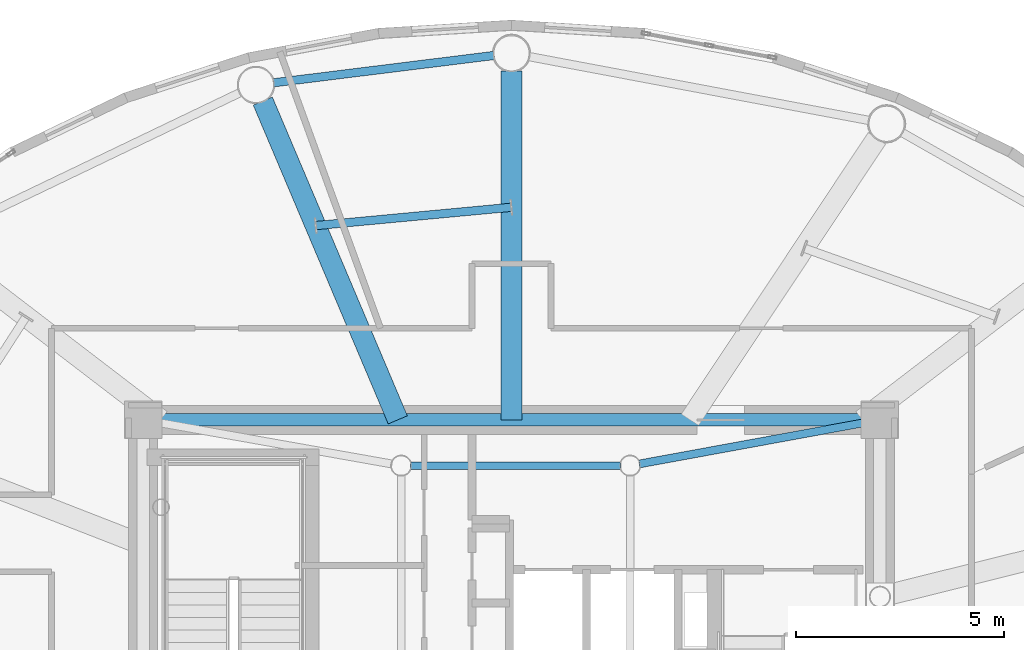
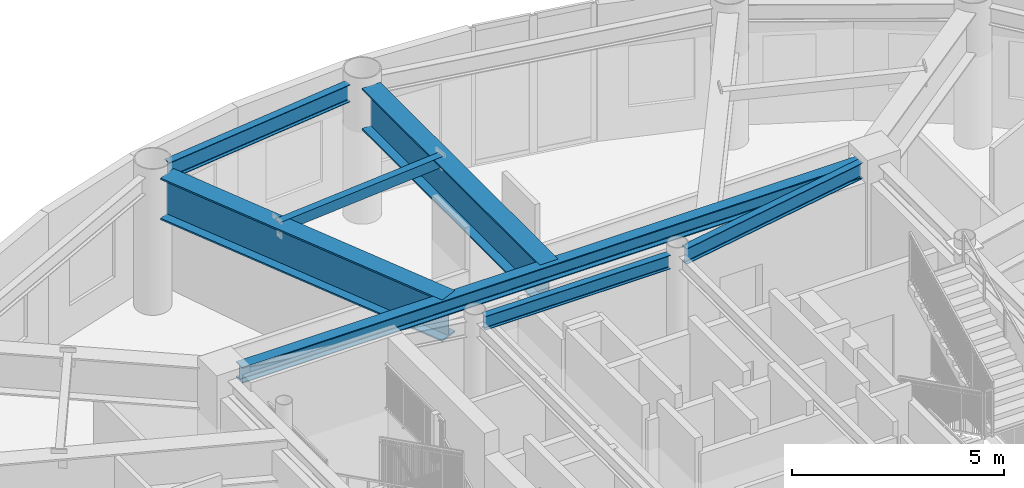
# One storey, part 9 of 26: 7 beams.
"""IFC4 building model written with IfcOpenShell, lengths in metres."""

from ifc_helpers import new_model, si_unit, direction, frame, origin, origin_2d, place, context, subcontext, project, spatial, hollow_rectangle, i_section, extrude, material, material_profile, profile_set, type_object, element, save


model = new_model("IFC4")

# Units and contexts
model_context = context("Model", 3, precision=1e-05, world=origin(), true_north=direction((0.0, 1.0)))
body_context = subcontext(model_context, "Body", "Model", "MODEL_VIEW")
ifc_project = project(units=[si_unit("LENGTHUNIT", "METRE"), si_unit("AREAUNIT", "SQUARE_METRE"), si_unit("VOLUMEUNIT", "CUBIC_METRE"), si_unit("PLANEANGLEUNIT", "RADIAN"), si_unit("MASSUNIT", "GRAM", prefix="KILO")], contexts=[model_context])

# Site, building, storey
site_placement = place(None, origin())
site = spatial("IfcSite", under=ifc_project, at=site_placement, CompositionType="ELEMENT")
building_placement = place(site_placement, origin())
building = spatial("IfcBuilding", under=site, at=building_placement, Name="Linh Dai School and Residence Tower", CompositionType="ELEMENT")
storey_placement = place(building_placement, frame((0.0, 0.0, 351.0)))
storey = spatial("IfcBuildingStorey", under=building, at=storey_placement, Name="L87", CompositionType="ELEMENT", Elevation=351.0)

# Beams
ifc_material = material(Name="Structural Steel S355JR", Category="steel")
ifc_material_profile_1 = material_profile(ifc_material, hollow_rectangle(XDim=0.199951171875, YDim=0.300048828125, WallThickness=0.010009765625, at=origin_2d()), Name="RHS 300x200x10")
ifc_profile_set_1 = profile_set([ifc_material_profile_1], Name="Structural Steel S355JR")
beam_type_1 = type_object("IfcBeamType", Name="BM-BX3", PredefinedType="BEAM", material=ifc_profile_set_1)
beam_1_placement = place(storey_placement, frame((35.9951171875, 38.556396484375, 3.800048828125), z_axis=(-0.995632572685, -0.093358343008, 0.0), x_axis=(0.093358343008, -0.995632572685, 0.0)))
element("IfcBeam", 1, at=beam_1_placement, inside=storey, type_object=beam_type_1, Name="L87 Secondary Circumferential Floor Beam 03", PredefinedType="BEAM", context=body_context, shape_type="SweptSolid", body=[
    extrude(hollow_rectangle(XDim=0.199951171875, YDim=0.300048828125, WallThickness=0.010009765625, at=origin_2d()), origin(), (0.0, 0.0, 1.0), 4.717529296875),
])
ifc_material_profile_2 = material_profile(ifc_material, i_section(OverallWidth=0.199951171875, OverallDepth=0.5, WebThickness=0.01025390625, FlangeThickness=0.01611328125, FilletRadius=0.02099609375, at=origin_2d()), Name="IPE 500")
ifc_profile_set_2 = profile_set([ifc_material_profile_2], Name="Structural Steel S355JR")
beam_type_2 = type_object("IfcBeamType", Name="BM-RB50", PredefinedType="BEAM", material=ifc_profile_set_2)
beam_2_placement = place(storey_placement, frame((35.583251953125, 42.203369140625, 3.699951171875), z_axis=(-0.992398979221, -0.123062041428, 0.0), x_axis=(0.123062041428, -0.992398979221, 0.0)))
element("IfcBeam", 2, at=beam_2_placement, inside=storey, type_object=beam_type_2, Name="L87 Perimeter Elliptical Ring Beam 05", PredefinedType="BEAM", context=body_context, shape_type="SweptSolid", body=[
    extrude(i_section(OverallWidth=0.199951171875, OverallDepth=0.5, WebThickness=0.01025390625, FlangeThickness=0.01611328125, FilletRadius=0.02099609375, at=origin_2d()), origin(), (0.0, 0.0, 1.0), 5.344482421875),
])
ifc_material_profile_3 = material_profile(ifc_material, i_section(OverallWidth=0.300048828125, OverallDepth=0.449951171875, WebThickness=0.013916015625, FlangeThickness=0.02587890625, FilletRadius=0.027099609375, at=origin_2d()), Name="HEB 450")
ifc_profile_set_3 = profile_set([ifc_material_profile_3], Name="Structural Steel S355JR")
beam_type_3 = type_object("IfcBeamType", Name="BM-RG45", PredefinedType="BEAM", material=ifc_profile_set_3)
beam_3_placement = place(storey_placement, frame((44.429931640625, 33.449951171875, 3.72509765625), z_axis=(-1.0, 0.0, 0.0), x_axis=(0.0, -1.0, 0.0)))
element("IfcBeam", 3, at=beam_3_placement, inside=storey, type_object=beam_type_3, Name="L87 Core Perimeter Coupling Girder 3", PredefinedType="BEAM", context=body_context, shape_type="SweptSolid", body=[
    extrude(i_section(OverallWidth=0.300048828125, OverallDepth=0.449951171875, WebThickness=0.013916015625, FlangeThickness=0.02587890625, FilletRadius=0.027099609375, at=origin_2d()), origin(), (0.0, 0.0, 1.0), 16.85986328125),
])
ifc_material_profile_4 = material_profile(ifc_material, i_section(OverallWidth=0.179931640625, OverallDepth=0.39990234375, WebThickness=0.008544921875, FlangeThickness=0.013427734375, FilletRadius=0.02099609375, at=origin_2d()), Name="IPE 400")
ifc_profile_set_4 = profile_set([ifc_material_profile_4], Name="Structural Steel S355JR")
beam_type_4 = type_object("IfcBeamType", Name="BM-SB40", PredefinedType="BEAM", material=ifc_profile_set_4)
beam_4_placement = place(storey_placement, frame((38.6259765625, 32.35009765625, 3.75), z_axis=(-1.0, 0.0, 0.0), x_axis=(0.0, -1.0, 0.0)))
element("IfcBeam", 4, at=beam_4_placement, inside=storey, type_object=beam_type_4, Name="L87 Core Mast Pier Tie Beam 3", PredefinedType="BEAM", context=body_context, shape_type="SweptSolid", body=[
    extrude(i_section(OverallWidth=0.179931640625, OverallDepth=0.39990234375, WebThickness=0.008544921875, FlangeThickness=0.013427734375, FilletRadius=0.02099609375, at=origin_2d()), origin(), (0.0, 0.0, 1.0), 5.052001953125),
])
ifc_material_profile_5 = material_profile(ifc_material, i_section(OverallWidth=0.18994140625, OverallDepth=0.449951171875, WebThickness=0.009521484375, FlangeThickness=0.0146484375, FilletRadius=0.02099609375, at=origin_2d()), Name="IPE 450")
ifc_profile_set_5 = profile_set([ifc_material_profile_5], Name="Structural Steel S355JR")
beam_type_5 = type_object("IfcBeamType", Name="BM-SB45", PredefinedType="BEAM", material=ifc_profile_set_5)
beam_5_placement = place(storey_placement, frame((44.436767578125, 33.374267578125, 3.72509765625), z_axis=(-0.983605366802, -0.180334362777, 0.0), x_axis=(0.180334362777, -0.983605366802, 0.0)))
element("IfcBeam", 5, at=beam_5_placement, inside=storey, type_object=beam_type_5, Name="L87 Core Corner-to-Mast Pier Beam 3", PredefinedType="BEAM", context=body_context, shape_type="SweptSolid", body=[
    extrude(i_section(OverallWidth=0.18994140625, OverallDepth=0.449951171875, WebThickness=0.009521484375, FlangeThickness=0.0146484375, FilletRadius=0.02099609375, at=origin_2d()), origin(), (0.0, 0.0, 1.0), 5.455810546875),
])
ifc_material_profile_6 = material_profile(ifc_material, i_section(OverallWidth=0.5, OverallDepth=1.199951171875, WebThickness=0.02392578125, FlangeThickness=0.044921875, at=origin_2d()), Name="PG 1200x500x24x45")
ifc_profile_set_6 = profile_set([ifc_material_profile_6], Name="Structural Steel S355JR")
beam_type_6 = type_object("IfcBeamType", Name="BM-TG12", PredefinedType="BEAM", material=ifc_profile_set_6)
beam_6_placement = place(storey_placement, frame((36.0, 33.449951171875, 3.35009765625), z_axis=(0.0, 1.0, 0.0), x_axis=(-1.0, 0.0, 0.0)))
element("IfcBeam", 6, at=beam_6_placement, inside=storey, type_object=beam_type_6, Name="L87 Primary Radial Floor Girder 05", PredefinedType="BEAM", context=body_context, shape_type="SweptSolid", body=[
    extrude(i_section(OverallWidth=0.5, OverallDepth=1.199951171875, WebThickness=0.02392578125, FlangeThickness=0.044921875, at=origin_2d()), origin(), (0.0, 0.0, 1.0), 8.385009765625),
])
beam_7_placement = place(storey_placement, frame((33.268798828125, 33.449951171875, 3.35009765625), z_axis=(-0.389954119501, 0.920834287309, 0.0), x_axis=(-0.920834287309, -0.389954119501, 0.0)))
element("IfcBeam", 7, at=beam_7_placement, inside=storey, type_object=beam_type_6, Name="L87 Primary Radial Floor Girder 06", PredefinedType="BEAM", context=body_context, shape_type="SweptSolid", body=[
    extrude(i_section(OverallWidth=0.5, OverallDepth=1.199951171875, WebThickness=0.02392578125, FlangeThickness=0.044921875, at=origin_2d()), origin(), (0.0, 0.0, 1.0), 8.3154296875),
])

save(model, "model.ifc")
